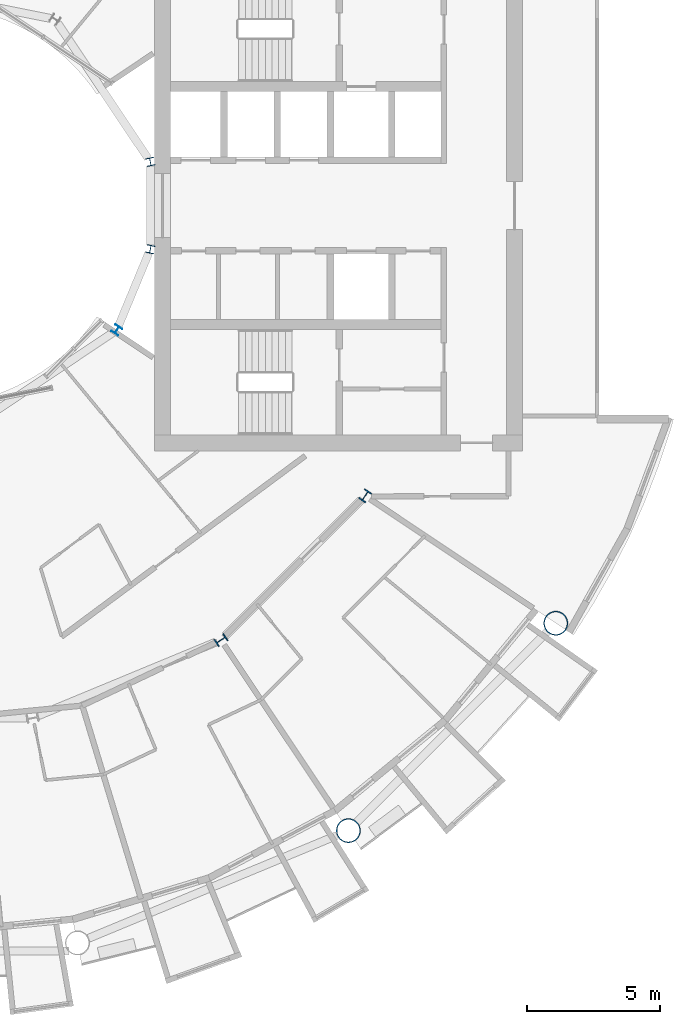
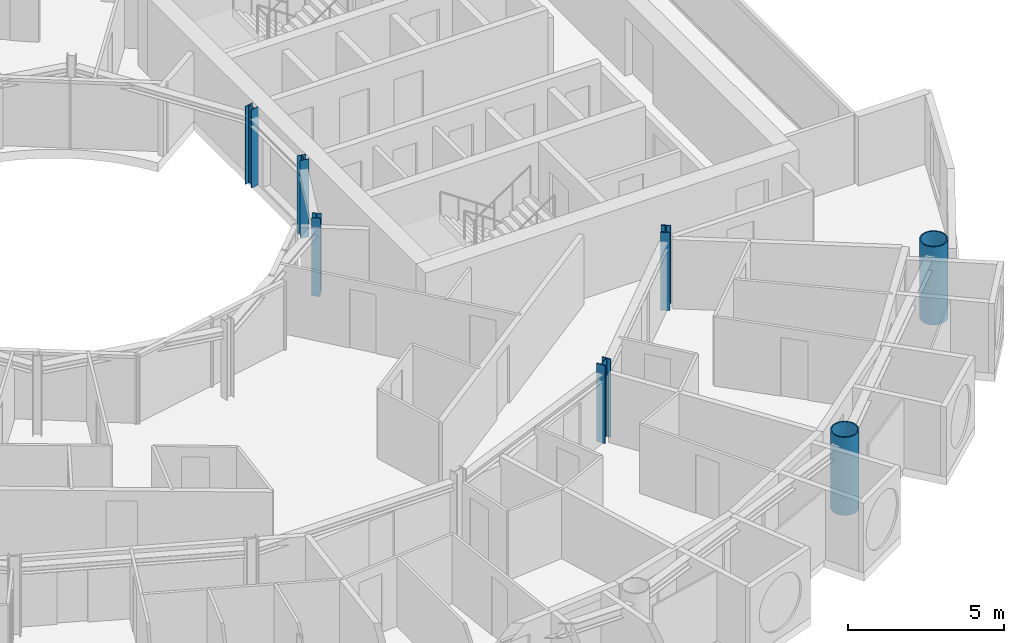
# One storey, part 2 of 27: 7 columns.
"""IFC4 building model written with IfcOpenShell, lengths in metres."""

import ifcopenshell
import ifcopenshell.guid

model = None  # the IFC model being written
_history = None  # IfcOwnerHistory: only IFC2X3 demands one
_inside = {}  # id of a spatial element -> (the spatial element, [elements in it])
_under = {}  # id of a project, library or spatial element -> (it, [spatial elements below it])
_declared = {}  # id of a project -> (the project, [libraries it declares])
_typed = {}  # id of a type object -> (the type object, [elements of that type])
_made_of = {}  # id of a material, layer set ... -> (it, [elements and type objects made of it])


def new_model(schema):
    """Start an empty IFC model of exactly this schema.

    Asked for "IFC4X3", IfcOpenShell would pick the latest addendum, in which some entities
    have other attributes; the version numbers below select the first issue.
    IFC2X3 requires an IfcOwnerHistory on every rooted entity: one is made here for all.
    """
    global model, _history
    if schema == "IFC4X3":
        model = ifcopenshell.file(schema_version=(4, 3, 0, 0))
    else:
        model = ifcopenshell.file(schema=schema)
    _inside.clear()
    _under.clear()
    _declared.clear()
    _typed.clear()
    _made_of.clear()
    _history = None
    if model.schema == "IFC2X3":
        org = make("IfcOrganization", Name="unknown")
        user = make(
            "IfcPersonAndOrganization",
            ThePerson=make("IfcPerson", FamilyName="unknown"),
            TheOrganization=org,
        )
        app = make(
            "IfcApplication",
            ApplicationDeveloper=org,
            Version="unknown",
            ApplicationFullName="unknown",
            ApplicationIdentifier="unknown",
        )
        _history = make(
            "IfcOwnerHistory",
            OwningUser=user,
            OwningApplication=app,
            ChangeAction="ADDED",
            CreationDate=0,
        )
    return model


def make(cls, **values):
    """One entity of the class cls with the attributes given. An attribute that is None is left unset."""
    return model.create_entity(
        cls, **{name: value for name, value in values.items() if value is not None}
    )


def rooted(cls, **values):
    """An entity with a GlobalId (a new one), such as an element, a storey or a relation."""
    return make(cls, GlobalId=ifcopenshell.guid.new(), OwnerHistory=_history, **values)


def si_unit(unit_type, name, prefix=None):
    """IfcSIUnit, for example si_unit("LENGTHUNIT", "METRE", prefix="MILLI")."""
    return make("IfcSIUnit", UnitType=unit_type, Prefix=prefix, Name=name)


def assignment(units):
    """IfcUnitAssignment: the units of a project."""
    return None if units is None else make("IfcUnitAssignment", Units=units)


def point(xyz):
    """IfcCartesianPoint."""
    return None if xyz is None else make("IfcCartesianPoint", Coordinates=xyz)


def direction(xyz):
    """IfcDirection."""
    return None if xyz is None else make("IfcDirection", DirectionRatios=xyz)


def frame(location, z_axis=None, x_axis=None):
    """IfcAxis2Placement3D, a coordinate frame: its origin and axes. An axis left out is left unset."""
    return make(
        "IfcAxis2Placement3D",
        Location=point(location),
        Axis=direction(z_axis),
        RefDirection=direction(x_axis),
    )


def frame_2d(location, x_axis=None):
    """IfcAxis2Placement2D, a coordinate frame in the plane: its origin and x axis."""
    return make(
        "IfcAxis2Placement2D", Location=point(location), RefDirection=direction(x_axis)
    )


def origin():
    """The frame at (0, 0, 0) with its axes left unset."""
    return frame((0.0, 0.0, 0.0))


def origin_2d():
    """The frame at (0, 0) in the plane with its x axis left unset."""
    return frame_2d((0.0, 0.0))


def place(relative_to, where):
    """IfcLocalPlacement: puts the frame where relative to a parent placement (None: the world)."""
    return make(
        "IfcLocalPlacement", PlacementRelTo=relative_to, RelativePlacement=where
    )


def context(
    kind, dimensions, precision=None, world=None, true_north=None, identifier=None
):
    """IfcGeometricRepresentationContext, for example the 3D "Model" context."""
    return make(
        "IfcGeometricRepresentationContext",
        ContextIdentifier=identifier,
        ContextType=kind,
        CoordinateSpaceDimension=dimensions,
        Precision=precision,
        WorldCoordinateSystem=world,
        TrueNorth=true_north,
    )


def subcontext(parent, identifier, kind, view, scale=None):
    """IfcGeometricRepresentationSubContext, for example "Body" below "Model"."""
    return make(
        "IfcGeometricRepresentationSubContext",
        ContextIdentifier=identifier,
        ContextType=kind,
        ParentContext=parent,
        TargetScale=scale,
        TargetView=view,
    )


def project(units=None, contexts=None):
    """IfcProject with its units and contexts."""
    return rooted(
        "IfcProject",
        Name="project",
        RepresentationContexts=contexts,
        UnitsInContext=assignment(units),
    )


def spatial(cls, under=None, at=None, **own):
    """A site, building, storey or space (cls), placed at a placement, below another one or the project."""
    s = rooted(cls, ObjectPlacement=at, **own)
    if under is not None:
        _under.setdefault(under.id(), (under, []))[1].append(s)
    return s


def profile(cls, at=None, kind="AREA", **sizes):
    """A parametric profile (cls). Its sizes go by their IFC names, for example OverallWidth=200.0."""
    return make(cls, ProfileType=kind, Position=at, **sizes)


def hollow_circle(**sizes):
    """IfcCircleHollowProfileDef."""
    return profile("IfcCircleHollowProfileDef", **sizes)


def i_section(**sizes):
    """IfcIShapeProfileDef."""
    return profile("IfcIShapeProfileDef", **sizes)


def extrude(swept, where, along, depth):
    """IfcExtrudedAreaSolid: the profile swept, set in the frame where, extruded along a direction by depth."""
    return make(
        "IfcExtrudedAreaSolid",
        SweptArea=swept,
        Position=where,
        ExtrudedDirection=direction(along),
        Depth=depth,
    )


def shape(context_of_items, identifier, shape_type, items):
    """IfcShapeRepresentation: the items that make up one representation, for example the "Body"."""
    return make(
        "IfcShapeRepresentation",
        ContextOfItems=context_of_items,
        RepresentationIdentifier=identifier,
        RepresentationType=shape_type,
        Items=items,
    )


def material(Name=None, Category=None):
    """IfcMaterial."""
    return make("IfcMaterial", Name=Name, Category=Category)


def material_profile(
    of_material, cross_section, Name=None, Category=None, Priority=None
):
    """IfcMaterialProfile: a cross section and its material."""
    return make(
        "IfcMaterialProfile",
        Name=Name,
        Material=of_material,
        Profile=cross_section,
        Priority=Priority,
        Category=Category,
    )


def profile_set(profiles, Name=None, composite=None):
    """IfcMaterialProfileSet."""
    return make(
        "IfcMaterialProfileSet",
        Name=Name,
        MaterialProfiles=profiles,
        CompositeProfile=composite,
    )


def made_of(thing, what):
    """Note that an element or type object is made of a material, layer set ...; save() writes the relation."""
    if what is not None:
        _made_of.setdefault(what.id(), (what, []))[1].append(thing)
    return thing


def type_object(cls, material=None, **own):
    """A type object (cls), such as IfcWallType, which elements share."""
    return made_of(rooted(cls, **own), material)


def element(
    cls,
    number,
    at=None,
    inside=None,
    cuts=None,
    type_object=None,
    material=None,
    context=None,
    identifier="Body",
    shape_type=None,
    held_by="IfcProductDefinitionShape",
    body=None,
    shapes=None,
    **own,
):
    """One element of the class cls, such as IfcWall. Its Tag is "e" and its number.

    at: its placement. inside: the storey or other place that contains it. cuts: it is an
    opening in that element (IfcRelVoidsElement). A single representation is given by context,
    identifier, shape_type and body (its items); several are given by shapes. held_by: the class
    of the entity that holds the representations. save() writes the other relations.
    """
    e = rooted(cls, Tag="e%d" % number, ObjectPlacement=at, **own)
    if body is not None:
        shapes = [shape(context, identifier, shape_type, body)]
    if shapes is not None:
        e.Representation = make(held_by, Representations=shapes)
    if inside is not None:
        _inside.setdefault(inside.id(), (inside, []))[1].append(e)
    if cuts is not None:
        rooted(
            "IfcRelVoidsElement", RelatingBuildingElement=cuts, RelatedOpeningElement=e
        )
    if type_object is not None:
        _typed.setdefault(type_object.id(), (type_object, []))[1].append(e)
    return made_of(e, material)


def aggregate(whole, parts):
    """IfcRelAggregates: a whole, such as a stair, and the parts it consists of."""
    return rooted("IfcRelAggregates", RelatingObject=whole, RelatedObjects=parts)


def save(model, path):
    """Write the relations noted so far, then the file.

    IfcRelAggregates (storeys below a building ...), IfcRelContainedInSpatialStructure (elements
    in a storey), IfcRelDefinesByType, IfcRelAssociatesMaterial and IfcRelDeclares: one each for
    every whole, place, type object, material and project.
    """
    for whole, parts in _under.values():
        aggregate(whole, parts)
    for where, things in _inside.values():
        rooted(
            "IfcRelContainedInSpatialStructure",
            RelatedElements=things,
            RelatingStructure=where,
        )
    for kind, things in _typed.values():
        rooted("IfcRelDefinesByType", RelatedObjects=things, RelatingType=kind)
    for what, things in _made_of.values():
        rooted("IfcRelAssociatesMaterial", RelatedObjects=things, RelatingMaterial=what)
    for by, libraries in _declared.values():
        rooted("IfcRelDeclares", RelatingContext=by, RelatedDefinitions=libraries)
    model.write(path)


model = new_model("IFC4")

# Units and contexts
model_context = context("Model", 3, precision=1e-05, world=origin(), true_north=direction((0.0, 1.0)))
body_context = subcontext(model_context, "Body", "Model", "MODEL_VIEW")
ifc_project = project(units=[si_unit("LENGTHUNIT", "METRE"), si_unit("AREAUNIT", "SQUARE_METRE"), si_unit("VOLUMEUNIT", "CUBIC_METRE"), si_unit("PLANEANGLEUNIT", "RADIAN"), si_unit("MASSUNIT", "GRAM", prefix="KILO")], contexts=[model_context])

# Site, building, storey
site_placement = place(None, origin())
site = spatial("IfcSite", under=ifc_project, at=site_placement, CompositionType="ELEMENT")
building_placement = place(site_placement, origin())
building = spatial("IfcBuilding", under=site, at=building_placement, Name="Maasbend Ring Residences", CompositionType="ELEMENT")
storey_placement = place(building_placement, frame((0.0, 0.0, 120.800048828125)))
storey = spatial("IfcBuildingStorey", under=building, at=storey_placement, Name="L34", CompositionType="ELEMENT", Elevation=120.800048828125)

# Columns
ifc_material_1 = material(Name="Composite concrete-filled steel tube S460NH / C80/95", Category="concrete")
ifc_material_profile_1 = material_profile(ifc_material_1, hollow_circle(Radius=0.45703125, WallThickness=0.0400390625, at=origin_2d()), Name="Composite tube column CHS 914x40")
ifc_profile_set_1 = profile_set([ifc_material_profile_1], Name="Composite concrete-filled steel tube S460NH / C80/95")
column_type_1 = type_object("IfcColumnType", Name="Composite tube column CHS 914x40", PredefinedType="COLUMN", material=ifc_profile_set_1)
for number, where, z_axis, x_axis, name in (
    (1, (15.6669921875, -23.447509765625, 0.0), (0.0, 0.0, 1.0), (1.0, 0.0, 0.0), "Outer column R14"),
    (2, (23.447509765625, -15.6669921875, 0.0), (0.0, 0.0, 1.0), (1.0, 0.0, 0.0), "Outer column R15"),
):
    element("IfcColumn", number, at=place(storey_placement, frame(where, z_axis=z_axis, x_axis=x_axis)), inside=storey, type_object=column_type_1, Name=name, PredefinedType="COLUMN", context=body_context, shape_type="SweptSolid", body=[
        extrude(hollow_circle(Radius=0.45703125, WallThickness=0.0400390625, at=origin_2d()), origin(), (0.0, 0.0, 1.0), 3.050048828125),
    ])
ifc_material_2 = material(Name="Steel S355J2", Category="steel")
ifc_material_profile_2 = material_profile(ifc_material_2, i_section(OverallWidth=0.300048828125, OverallDepth=0.300048828125, WebThickness=0.010986328125, FlangeThickness=0.01904296875, FilletRadius=0.027099609375, at=origin_2d()), Name="HEB 300")
ifc_profile_set_2 = profile_set([ifc_material_profile_2], Name="Steel S355J2")
column_type_2 = type_object("IfcColumnType", Name="Steel column HEB 300", PredefinedType="COLUMN", material=ifc_profile_set_2)
for number, where, z_axis, x_axis, name in (
    (3, (8.238525390625, 1.638916015625, 0.0), (0.0, 0.0, 1.0), (0.980785280403, 0.195090322016, 0.0), "Well ring column R1"),
    (4, (6.984375, -4.666748046875, 0.0), (0.0, 0.0, 1.0), (0.831469612303, -0.55557023302, 0.0), "Well ring column R15"),
    (5, (8.238525390625, -1.638916015625, 0.0), (0.0, 0.0, 1.0), (0.980785280403, -0.195090322016, 0.0), "Well ring column R16"),
):
    element("IfcColumn", number, at=place(storey_placement, frame(where, z_axis=z_axis, x_axis=x_axis)), inside=storey, type_object=column_type_2, Name=name, PredefinedType="COLUMN", context=body_context, shape_type="SweptSolid", body=[
        extrude(i_section(OverallWidth=0.300048828125, OverallDepth=0.300048828125, WebThickness=0.010986328125, FlangeThickness=0.01904296875, FilletRadius=0.027099609375, at=origin_2d()), origin(), (0.0, 0.0, 1.0), 3.050048828125),
    ])
ifc_material_3 = material(Name="Steel S460M", Category="steel")
ifc_material_profile_3 = material_profile(ifc_material_3, i_section(OverallWidth=0.306884765625, OverallDepth=0.431884765625, WebThickness=0.02099609375, FlangeThickness=0.0400390625, FilletRadius=0.027099609375, at=origin_2d()), Name="HEM 400")
ifc_profile_set_3 = profile_set([ifc_material_profile_3], Name="Steel S460M")
column_type_3 = type_object("IfcColumnType", Name="Steel column HEM 400", PredefinedType="COLUMN", material=ifc_profile_set_3)
for number, where, z_axis, x_axis, name in (
    (6, (10.88916015625, -16.296875, 0.0), (0.0, 0.0, 1.0), (0.55557023302, -0.831469612303, 0.0), "Corridor ring column R14"),
    (7, (16.296875, -10.88916015625, 0.0), (0.0, 0.0, 1.0), (0.831469612303, -0.55557023302, 0.0), "Corridor ring column R15"),
):
    element("IfcColumn", number, at=place(storey_placement, frame(where, z_axis=z_axis, x_axis=x_axis)), inside=storey, type_object=column_type_3, Name=name, PredefinedType="COLUMN", context=body_context, shape_type="SweptSolid", body=[
        extrude(i_section(OverallWidth=0.306884765625, OverallDepth=0.431884765625, WebThickness=0.02099609375, FlangeThickness=0.0400390625, FilletRadius=0.027099609375, at=origin_2d()), origin(), (0.0, 0.0, 1.0), 3.050048828125),
    ])

save(model, "model.ifc")
